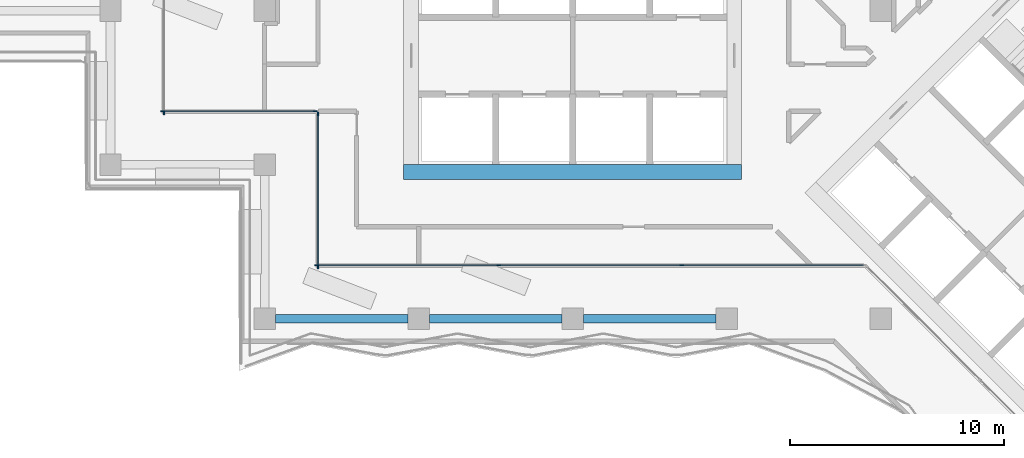
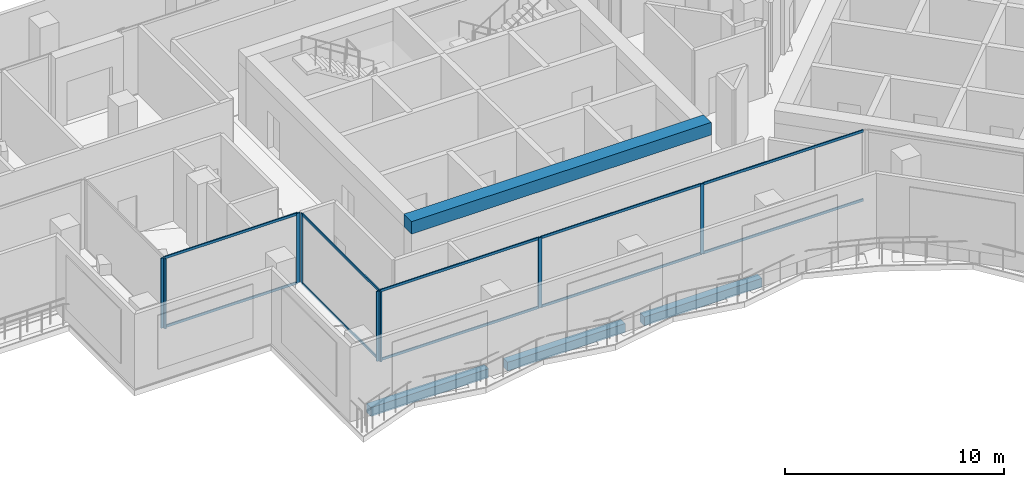
# One storey, part 2 of 23: 18 members, 4 beams, 4 elements without a shape of their own.
"""IFC4 building model written with IfcOpenShell, lengths in metres."""

from ifc_helpers import new_model, si_unit, direction, frame, origin, origin_2d, place, context, subcontext, project, spatial, rectangle, extrude, material, material_profile, profile_set, type_object, element, aggregate, save


model = new_model("IFC4")

# Units and contexts
model_context = context("Model", 3, precision=1e-05, world=origin(), true_north=direction((0.0, 1.0)))
body_context = subcontext(model_context, "Body", "Model", "MODEL_VIEW")
ifc_project = project(units=[si_unit("LENGTHUNIT", "METRE"), si_unit("AREAUNIT", "SQUARE_METRE"), si_unit("VOLUMEUNIT", "CUBIC_METRE"), si_unit("PLANEANGLEUNIT", "RADIAN"), si_unit("MASSUNIT", "GRAM", prefix="KILO")], contexts=[model_context])

# Site, building, storey
site_placement = place(None, origin())
site = spatial("IfcSite", under=ifc_project, at=site_placement, CompositionType="ELEMENT")
building_placement = place(site_placement, origin())
building = spatial("IfcBuilding", under=site, at=building_placement, Name="Windrow Commons", CompositionType="ELEMENT")
storey_placement = place(building_placement, frame((0.0, 0.0, 122.0)))
storey = spatial("IfcBuildingStorey", under=building, at=storey_placement, Name="L33", CompositionType="ELEMENT", Elevation=122.0)

# Curtain wall, member
ifc_material_1 = material(Name="Clear laminated glass in Aluminium 6063-T6 anodised frame", Category="aluminium")
curtain_wall_type = type_object("IfcCurtainWallType", Name="Curtain wall CW2M sky lounge mid", PredefinedType="USERDEFINED", material=ifc_material_1)
placement = place(storey_placement, origin())
curtain_wall_1 = element("IfcCurtainWall", 1, at=placement, inside=storey, type_object=curtain_wall_type, Name="Curtain wall CW2M L33 9", ObjectType="UNITISED", PredefinedType="USERDEFINED")
ifc_material_2 = material(Name="Aluminium 6063-T6", Category="aluminium")
ifc_material_profile_1 = material_profile(ifc_material_2, rectangle(XDim=0.06, YDim=0.18, at=origin_2d()))
ifc_profile_set_1 = profile_set([ifc_material_profile_1], Name="Aluminium 6063-T6")
member_type_1 = type_object("IfcMemberType", Name="CW2M mullion 60x180", PredefinedType="MULLION", material=ifc_profile_set_1)
member_1_placement = place(storey_placement, frame((45.7, 52.83, 0.0), z_axis=(0.0, 0.0, 1.0), x_axis=(1.0, 0.0, 0.0)))
member_1 = element("IfcMember", 2, at=member_1_placement, type_object=member_type_1, Name="CW2M mullion 2", PredefinedType="MULLION", context=body_context, shape_type="SweptSolid", body=[
    extrude(rectangle(XDim=0.06, YDim=0.18, at=origin_2d()), origin(), (0.0, 0.0, 1.0), 3.9),
])
aggregate(curtain_wall_1, [member_1])

# Curtain wall, members
curtain_wall_2 = element("IfcCurtainWall", 3, at=placement, inside=storey, type_object=curtain_wall_type, Name="Curtain wall CW2M L33 10", ObjectType="UNITISED", PredefinedType="USERDEFINED")
member_2_placement = place(storey_placement, frame((45.63, 52.9, 0.0), z_axis=(0.0, 0.0, 1.0), x_axis=(0.0, 1.0, 0.0)))
member_2 = element("IfcMember", 4, at=member_2_placement, type_object=member_type_1, Name="CW2M mullion 1", PredefinedType="MULLION", context=body_context, shape_type="SweptSolid", body=[
    extrude(rectangle(XDim=0.06, YDim=0.18, at=origin_2d()), origin(), (0.0, 0.0, 1.0), 3.9),
])
member_3_placement = place(storey_placement, frame((52.77, 52.9, 0.0), z_axis=(0.0, 0.0, 1.0), x_axis=(0.0, 1.0, 0.0)))
member_3 = element("IfcMember", 5, at=member_3_placement, type_object=member_type_1, Name="CW2M mullion 2", PredefinedType="MULLION", context=body_context, shape_type="SweptSolid", body=[
    extrude(rectangle(XDim=0.06, YDim=0.18, at=origin_2d()), origin(), (0.0, 0.0, 1.0), 3.9),
])

curtain_wall_3 = element("IfcCurtainWall", 6, at=placement, inside=storey, type_object=curtain_wall_type, Name="Curtain wall CW2M L33 11", ObjectType="UNITISED", PredefinedType="USERDEFINED")
member_4_placement = place(storey_placement, frame((52.9, 52.77, 0.0), z_axis=(0.0, 0.0, 1.0), x_axis=(1.0, 0.0, 0.0)))
member_4 = element("IfcMember", 7, at=member_4_placement, type_object=member_type_1, Name="CW2M mullion 1", PredefinedType="MULLION", context=body_context, shape_type="SweptSolid", body=[
    extrude(rectangle(XDim=0.06, YDim=0.18, at=origin_2d()), origin(), (0.0, 0.0, 1.0), 3.9),
])
member_5_placement = place(storey_placement, frame((52.9, 45.63, 0.0), z_axis=(0.0, 0.0, 1.0), x_axis=(1.0, 0.0, 0.0)))
member_5 = element("IfcMember", 8, at=member_5_placement, type_object=member_type_1, Name="CW2M mullion 2", PredefinedType="MULLION", context=body_context, shape_type="SweptSolid", body=[
    extrude(rectangle(XDim=0.06, YDim=0.18, at=origin_2d()), origin(), (0.0, 0.0, 1.0), 3.9),
])

curtain_wall_4 = element("IfcCurtainWall", 9, at=placement, inside=storey, type_object=curtain_wall_type, Name="Curtain wall CW2M L33 12", ObjectType="UNITISED", PredefinedType="USERDEFINED")
member_6_placement = place(storey_placement, frame((52.83, 45.7, 0.0), z_axis=(0.0, 0.0, 1.0), x_axis=(0.0, 1.0, 0.0)))
member_6 = element("IfcMember", 10, at=member_6_placement, type_object=member_type_1, Name="CW2M mullion 1", PredefinedType="MULLION", context=body_context, shape_type="SweptSolid", body=[
    extrude(rectangle(XDim=0.06, YDim=0.18, at=origin_2d()), origin(), (0.0, 0.0, 1.0), 3.9),
])
member_7_placement = place(storey_placement, frame((61.349, 45.7, 0.0), z_axis=(0.0, 0.0, 1.0), x_axis=(0.0, 1.0, 0.0)))
member_7 = element("IfcMember", 11, at=member_7_placement, type_object=member_type_1, Name="CW2M mullion 2", PredefinedType="MULLION", context=body_context, shape_type="SweptSolid", body=[
    extrude(rectangle(XDim=0.06, YDim=0.18, at=origin_2d()), origin(), (0.0, 0.0, 1.0), 3.9),
])
member_8_placement = place(storey_placement, frame((69.8981, 45.7, 0.0), z_axis=(0.0, 0.0, 1.0), x_axis=(0.0, 1.0, 0.0)))
member_8 = element("IfcMember", 12, at=member_8_placement, type_object=member_type_1, Name="CW2M mullion 3", PredefinedType="MULLION", context=body_context, shape_type="SweptSolid", body=[
    extrude(rectangle(XDim=0.06, YDim=0.18, at=origin_2d()), origin(), (0.0, 0.0, 1.0), 3.9),
])

# Member
ifc_material_3 = material(Name="Aluminium 6063-T6", Category="aluminium")
ifc_material_profile_2 = material_profile(ifc_material_3, rectangle(XDim=0.06, YDim=0.14, at=origin_2d()))
ifc_profile_set_2 = profile_set([ifc_material_profile_2], Name="Aluminium 6063-T6")
member_type_2 = type_object("IfcMemberType", Name="CW2M transom 60x140", PredefinedType="USERDEFINED", material=ifc_profile_set_2)
member_9_placement = place(storey_placement, frame((45.66, 52.9, 0.03), z_axis=(1.0, 0.0, 0.0), x_axis=(0.0, 1.0, 0.0)))
member_9 = element("IfcMember", 13, at=member_9_placement, type_object=member_type_2, Name="CW2M transom 1.1", ObjectType="TRANSOM", PredefinedType="USERDEFINED", context=body_context, shape_type="SweptSolid", body=[
    extrude(rectangle(XDim=0.06, YDim=0.14, at=origin_2d()), origin(), (0.0, 0.0, 1.0), 7.08),
])

member_10_placement = place(storey_placement, frame((45.66, 52.9, 3.87), z_axis=(1.0, 0.0, 0.0), x_axis=(0.0, 1.0, 0.0)))
member_10 = element("IfcMember", 14, at=member_10_placement, type_object=member_type_2, Name="CW2M transom 1.2", ObjectType="TRANSOM", PredefinedType="USERDEFINED", context=body_context, shape_type="SweptSolid", body=[
    extrude(rectangle(XDim=0.06, YDim=0.14, at=origin_2d()), origin(), (0.0, 0.0, 1.0), 7.08),
])

aggregate(curtain_wall_2, [member_2, member_3, member_9, member_10])

member_11_placement = place(storey_placement, frame((52.9, 52.74, 0.03), z_axis=(0.0, -1.0, 0.0), x_axis=(1.0, 0.0, 0.0)))
member_11 = element("IfcMember", 15, at=member_11_placement, type_object=member_type_2, Name="CW2M transom 1.1", ObjectType="TRANSOM", PredefinedType="USERDEFINED", context=body_context, shape_type="SweptSolid", body=[
    extrude(rectangle(XDim=0.06, YDim=0.14, at=origin_2d()), origin(), (0.0, 0.0, 1.0), 7.08),
])

member_12_placement = place(storey_placement, frame((52.9, 52.74, 3.87), z_axis=(0.0, -1.0, 0.0), x_axis=(1.0, 0.0, 0.0)))
member_12 = element("IfcMember", 16, at=member_12_placement, type_object=member_type_2, Name="CW2M transom 1.2", ObjectType="TRANSOM", PredefinedType="USERDEFINED", context=body_context, shape_type="SweptSolid", body=[
    extrude(rectangle(XDim=0.06, YDim=0.14, at=origin_2d()), origin(), (0.0, 0.0, 1.0), 7.08),
])

aggregate(curtain_wall_3, [member_4, member_5, member_11, member_12])

member_13_placement = place(storey_placement, frame((52.86, 45.7, 0.03), z_axis=(1.0, 0.0, 0.0), x_axis=(0.0, 1.0, 0.0)))
member_13 = element("IfcMember", 17, at=member_13_placement, type_object=member_type_2, Name="CW2M transom 1.1", ObjectType="TRANSOM", PredefinedType="USERDEFINED", context=body_context, shape_type="SweptSolid", body=[
    extrude(rectangle(XDim=0.06, YDim=0.14, at=origin_2d()), origin(), (0.0, 0.0, 1.0), 8.459),
])

member_14_placement = place(storey_placement, frame((52.86, 45.7, 3.87), z_axis=(1.0, 0.0, 0.0), x_axis=(0.0, 1.0, 0.0)))
member_14 = element("IfcMember", 18, at=member_14_placement, type_object=member_type_2, Name="CW2M transom 1.2", ObjectType="TRANSOM", PredefinedType="USERDEFINED", context=body_context, shape_type="SweptSolid", body=[
    extrude(rectangle(XDim=0.06, YDim=0.14, at=origin_2d()), origin(), (0.0, 0.0, 1.0), 8.459),
])

member_15_placement = place(storey_placement, frame((61.379, 45.7, 0.03), z_axis=(1.0, 0.0, 0.0), x_axis=(0.0, 1.0, 0.0)))
member_15 = element("IfcMember", 19, at=member_15_placement, type_object=member_type_2, Name="CW2M transom 2.1", ObjectType="TRANSOM", PredefinedType="USERDEFINED", context=body_context, shape_type="SweptSolid", body=[
    extrude(rectangle(XDim=0.06, YDim=0.14, at=origin_2d()), origin(), (0.0, 0.0, 1.0), 8.4891),
])

member_16_placement = place(storey_placement, frame((61.379, 45.7, 3.87), z_axis=(1.0, 0.0, 0.0), x_axis=(0.0, 1.0, 0.0)))
member_16 = element("IfcMember", 20, at=member_16_placement, type_object=member_type_2, Name="CW2M transom 2.2", ObjectType="TRANSOM", PredefinedType="USERDEFINED", context=body_context, shape_type="SweptSolid", body=[
    extrude(rectangle(XDim=0.06, YDim=0.14, at=origin_2d()), origin(), (0.0, 0.0, 1.0), 8.4891),
])

member_17_placement = place(storey_placement, frame((69.9281, 45.7, 0.03), z_axis=(1.0, 0.0, 0.0), x_axis=(0.0, 1.0, 0.0)))
member_17 = element("IfcMember", 21, at=member_17_placement, type_object=member_type_2, Name="CW2M transom 3.1", ObjectType="TRANSOM", PredefinedType="USERDEFINED", context=body_context, shape_type="SweptSolid", body=[
    extrude(rectangle(XDim=0.06, YDim=0.14, at=origin_2d()), origin(), (0.0, 0.0, 1.0), 8.459),
])

member_18_placement = place(storey_placement, frame((69.9281, 45.7, 3.87), z_axis=(1.0, 0.0, 0.0), x_axis=(0.0, 1.0, 0.0)))
member_18 = element("IfcMember", 22, at=member_18_placement, type_object=member_type_2, Name="CW2M transom 3.2", ObjectType="TRANSOM", PredefinedType="USERDEFINED", context=body_context, shape_type="SweptSolid", body=[
    extrude(rectangle(XDim=0.06, YDim=0.14, at=origin_2d()), origin(), (0.0, 0.0, 1.0), 8.459),
])

aggregate(curtain_wall_4, [member_6, member_7, member_8, member_13, member_14, member_15, member_16, member_17, member_18])

# Beams
ifc_material_4 = material(Name="Concrete C50/60", Category="concrete")
ifc_material_profile_3 = material_profile(ifc_material_4, rectangle(XDim=0.7, YDim=0.7, at=origin_2d()))
ifc_profile_set_3 = profile_set([ifc_material_profile_3], Name="Concrete C50/60")
beam_type_1 = type_object("IfcBeamType", Name="RC COUPLING BEAM 700x700 C50/60", PredefinedType="LINTEL", material=ifc_profile_set_3)
beam_placement = place(storey_placement, frame((56.9, 50.05, 3.55), z_axis=(1.0, 0.0, 0.0), x_axis=(0.0, 1.0, 0.0)))
element("IfcBeam", 23, at=beam_placement, inside=storey, type_object=beam_type_1, Name="Core A coupling beam outer-S", PredefinedType="LINTEL", context=body_context, shape_type="SweptSolid", body=[
    extrude(rectangle(XDim=0.7, YDim=0.7, at=origin_2d()), origin(), (0.0, 0.0, 1.0), 15.8),
])
ifc_material_5 = material(Name="Concrete C50/60", Category="concrete")
ifc_material_profile_4 = material_profile(ifc_material_5, rectangle(XDim=0.4, YDim=0.5, at=origin_2d()))
ifc_profile_set_4 = profile_set([ifc_material_profile_4], Name="Concrete C50/60")
beam_type_2 = type_object("IfcBeamType", Name="RC EDGE BEAM 400x500 C50/60", PredefinedType="SPANDREL", material=ifc_profile_set_4)
for number, where, z_axis, x_axis, name in (
    (24, (71.5, 43.2, -0.55), (-1.0, 0.0, 0.0), (0.0, -1.0, 0.0), "Edge beam L33 023"),
    (25, (64.3, 43.2, -0.55), (-1.0, 0.0, 0.0), (0.0, -1.0, 0.0), "Edge beam L33 024"),
    (26, (57.1, 43.2, -0.55), (-1.0, 0.0, 0.0), (0.0, -1.0, 0.0), "Edge beam L33 025"),
):
    element("IfcBeam", number, at=place(storey_placement, frame(where, z_axis=z_axis, x_axis=x_axis)), inside=storey, type_object=beam_type_2, Name=name, PredefinedType="SPANDREL", context=body_context, shape_type="SweptSolid", body=[
        extrude(rectangle(XDim=0.4, YDim=0.5, at=origin_2d()), origin(), (0.0, 0.0, 1.0), 6.2),
    ])

save(model, "model.ifc")
